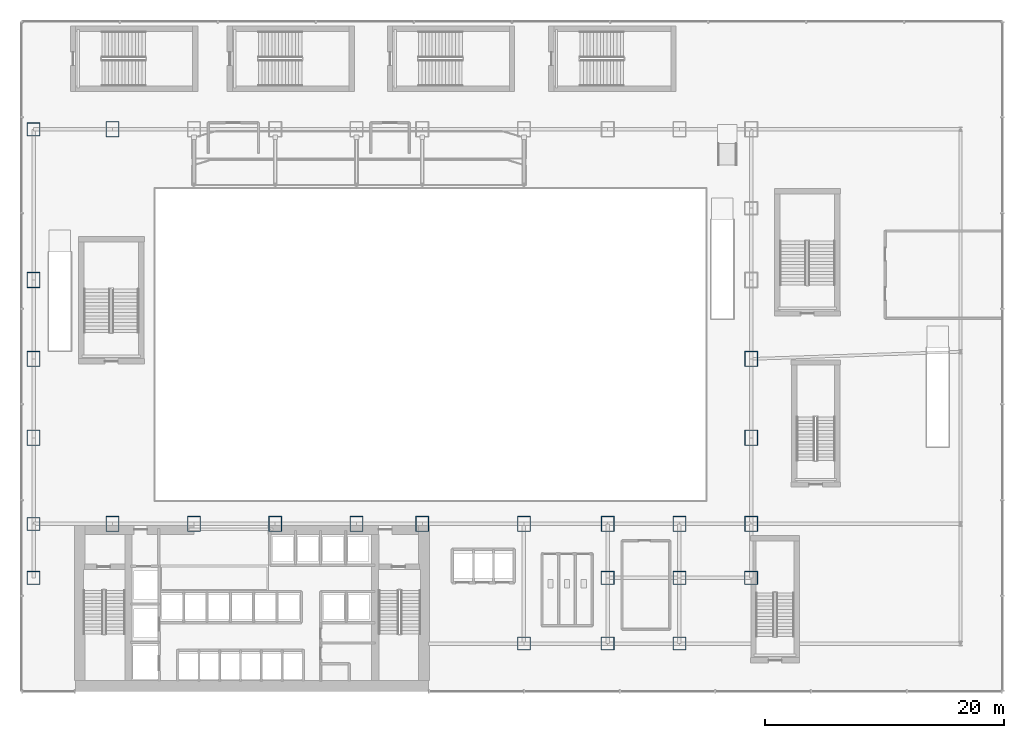
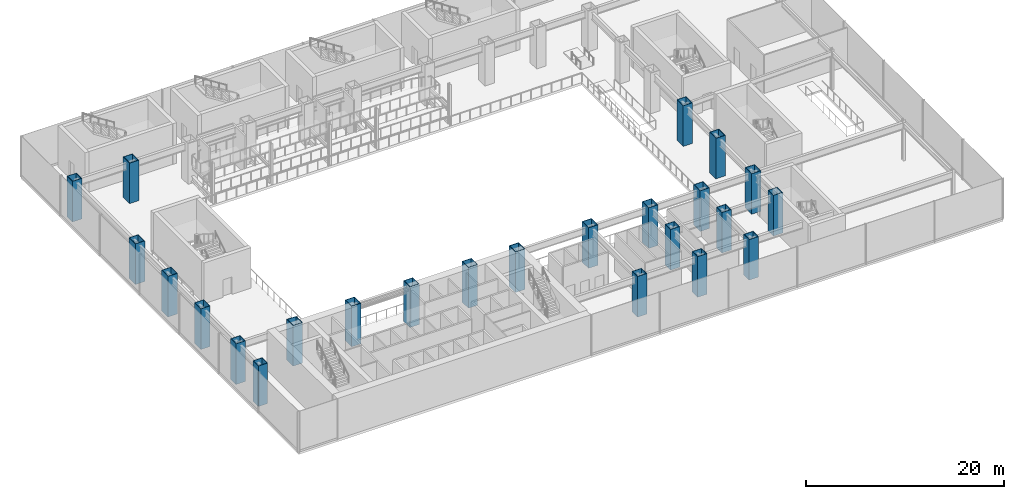
# One storey, part 1 of 39: 24 columns.
"""IFC4 building model written with IfcOpenShell, lengths in metres."""

from ifc_helpers import new_model, si_unit, derived_unit, direction, frame, origin, origin_2d, place, context, subcontext, project, spatial, hollow_rectangle, extrude, source, transform, mapped, material, material_profile, profile_set, type_object, element, save


model = new_model("IFC4")

# Units and contexts
model_context = context("Model", 3, precision=1e-05, world=origin(), true_north=direction((0.0, 1.0)))
body_context = subcontext(model_context, "Body", "Model", "MODEL_VIEW")
ifc_project = project(units=[si_unit("LENGTHUNIT", "METRE"), si_unit("AREAUNIT", "SQUARE_METRE"), si_unit("VOLUMEUNIT", "CUBIC_METRE"), si_unit("PLANEANGLEUNIT", "RADIAN"), si_unit("MASSUNIT", "GRAM", prefix="KILO"), derived_unit("THERMALTRANSMITTANCEUNIT", [(si_unit("POWERUNIT", "WATT"), 1), (si_unit("LENGTHUNIT", "METRE"), -2), (si_unit("THERMODYNAMICTEMPERATUREUNIT", "KELVIN"), -1)])], contexts=[model_context])

# Site, building, storey
site_placement = place(None, origin())
site = spatial("IfcSite", under=ifc_project, at=site_placement, CompositionType="ELEMENT")
building_placement = place(site_placement, origin())
building = spatial("IfcBuilding", under=site, at=building_placement, Name="Skarnbrae Concourse Arena and Tower", CompositionType="ELEMENT")
storey_placement = place(building_placement, frame((0.0, 0.0, 11.0)))
storey = spatial("IfcBuildingStorey", under=building, at=storey_placement, Name="L02", CompositionType="ELEMENT", Elevation=11.0)

# Columns
ifc_material = material(Name="Steel CSA G40.21 350W", Category="steel")
ifc_material_profile_1 = material_profile(ifc_material, hollow_rectangle(XDim=1.10009765625, YDim=1.10009765625, WallThickness=0.050048828125, at=origin_2d()), Name="BOX1100X1100X50")
ifc_profile_set_1 = profile_set([ifc_material_profile_1], Name="Steel CSA G40.21 350W")
column_type_1 = type_object("IfcColumnType", Name="COL-MEGA-BOX1100", PredefinedType="PILASTER", material=ifc_profile_set_1)
shared_shape_1 = source(origin(), body_context, "Body", "SweptSolid", [
    extrude(hollow_rectangle(XDim=1.10009765625, YDim=1.10009765625, WallThickness=0.050048828125, at=origin_2d()), origin(), (0.0, 0.0, 1.0), 5.0),
])
for number, where, z_axis, x_axis, name in (
    (1, (1.0, 9.5, 0.0), (0.0, 0.0, 1.0), (1.0, 0.0, 0.0), "L02 Podium mega-column MC-W0"),
    (2, (1.0, 14.0, 0.0), (0.0, 0.0, 1.0), (1.0, 0.0, 0.0), "L02 Podium mega-column MC-W1"),
    (3, (1.0, 47.0, 0.0), (0.0, 0.0, 1.0), (1.0, 0.0, 0.0), "L02 Podium mega-column MC-W6"),
    (4, (61.0, 9.5, 0.0), (0.0, 0.0, 1.0), (1.0, 0.0, 0.0), "L02 Podium mega-column MC-E0"),
    (5, (49.0, 9.5, 0.0), (0.0, 0.0, 1.0), (1.0, 0.0, 0.0), "L02 Podium mega-column PC-SE8"),
    (6, (55.0, 9.5, 0.0), (0.0, 0.0, 1.0), (1.0, 0.0, 0.0), "L02 Podium mega-column PC-SE9"),
    (7, (42.0, 4.0, 0.0), (0.0, 0.0, 1.0), (1.0, 0.0, 0.0), "L02 Podium mega-column PC-7B"),
    (8, (49.0, 4.0, 0.0), (0.0, 0.0, 1.0), (1.0, 0.0, 0.0), "L02 Podium mega-column PC-8B"),
    (9, (55.0, 4.0, 0.0), (0.0, 0.0, 1.0), (1.0, 0.0, 0.0), "L02 Podium mega-column PC-9B"),
):
    element("IfcColumn", number, at=place(storey_placement, frame(where, z_axis=z_axis, x_axis=x_axis)), inside=storey, type_object=column_type_1, Name=name, PredefinedType="PILASTER", context=body_context, shape_type="MappedRepresentation", body=[
        mapped(shared_shape_1, transform((0.0, 0.0, 0.0))),
    ])
ifc_material_profile_2 = material_profile(ifc_material, hollow_rectangle(XDim=1.10009765625, YDim=1.300048828125, WallThickness=0.054931640625, at=origin_2d()), Name="BOX1300X1100X55")
ifc_profile_set_2 = profile_set([ifc_material_profile_2], Name="Steel CSA G40.21 350W")
column_type_2 = type_object("IfcColumnType", Name="COL-MEGA-BOX1300", PredefinedType="PILASTER", material=ifc_profile_set_2)
shared_shape_2 = source(origin(), body_context, "Body", "SweptSolid", [
    extrude(hollow_rectangle(XDim=1.10009765625, YDim=1.300048828125, WallThickness=0.054931640625, at=origin_2d()), origin(), (0.0, 0.0, 1.0), 5.0),
])
for number, where, z_axis, x_axis, name in (
    (10, (1.0, 21.199951171875, 0.0), (0.0, 0.0, 1.0), (1.0, 0.0, 0.0), "L02 Podium mega-column MC-W2"),
    (11, (1.0, 27.800048828125, 0.0), (0.0, 0.0, 1.0), (1.0, 0.0, 0.0), "L02 Podium mega-column MC-W3"),
    (12, (1.0, 34.39990234375, 0.0), (0.0, 0.0, 1.0), (1.0, 0.0, 0.0), "L02 Podium mega-column MC-W4"),
    (13, (7.60009765625, 14.0, 0.0), (0.0, 0.0, 1.0), (1.0, 0.0, 0.0), "L02 Podium mega-column MC-S2"),
    (14, (14.39990234375, 14.0, 0.0), (0.0, 0.0, 1.0), (1.0, 0.0, 0.0), "L02 Podium mega-column MC-S3"),
    (15, (21.199951171875, 14.0, 0.0), (0.0, 0.0, 1.0), (1.0, 0.0, 0.0), "L02 Podium mega-column MC-S4"),
    (16, (28.0, 14.0, 0.0), (0.0, 0.0, 1.0), (1.0, 0.0, 0.0), "L02 Podium mega-column MC-S5"),
    (17, (33.5, 14.0, 0.0), (0.0, 0.0, 1.0), (1.0, 0.0, 0.0), "L02 Podium mega-column MC-S6"),
    (18, (42.0, 14.0, 0.0), (0.0, 0.0, 1.0), (1.0, 0.0, 0.0), "L02 Podium mega-column MC-S7"),
    (19, (49.0, 14.0, 0.0), (0.0, 0.0, 1.0), (1.0, 0.0, 0.0), "L02 Podium mega-column MC-S8"),
    (20, (55.0, 14.0, 0.0), (0.0, 0.0, 1.0), (1.0, 0.0, 0.0), "L02 Podium mega-column MC-S9"),
    (21, (61.0, 14.0, 0.0), (0.0, 0.0, 1.0), (1.0, 0.0, 0.0), "L02 Podium mega-column MC-S10"),
    (22, (7.60009765625, 47.0, 0.0), (0.0, 0.0, 1.0), (1.0, 0.0, 0.0), "L02 Podium mega-column MC-N2"),
    (23, (61.0, 21.199951171875, 0.0), (0.0, 0.0, 1.0), (1.0, 0.0, 0.0), "L02 Podium mega-column MC-E1"),
    (24, (61.0, 27.800048828125, 0.0), (0.0, 0.0, 1.0), (1.0, 0.0, 0.0), "L02 Podium mega-column MC-E2"),
):
    element("IfcColumn", number, at=place(storey_placement, frame(where, z_axis=z_axis, x_axis=x_axis)), inside=storey, type_object=column_type_2, Name=name, PredefinedType="PILASTER", context=body_context, shape_type="MappedRepresentation", body=[
        mapped(shared_shape_2, transform((0.0, 0.0, 0.0))),
    ])

save(model, "model.ifc")
